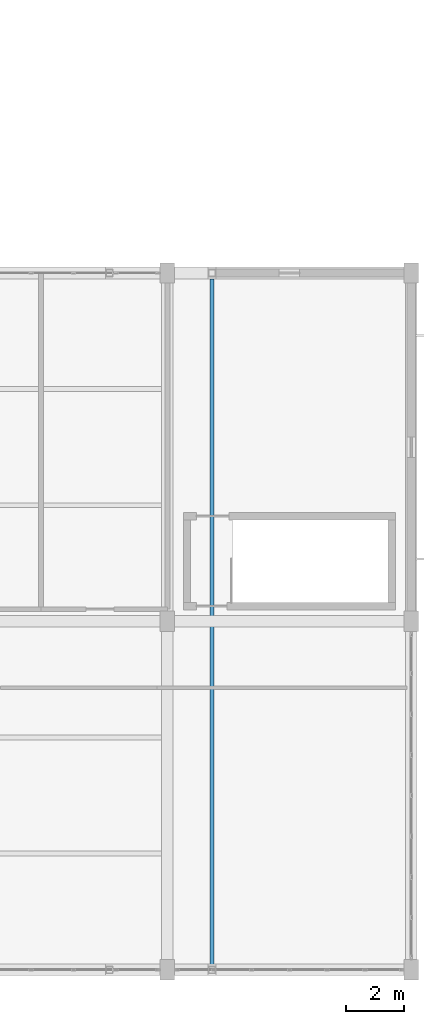
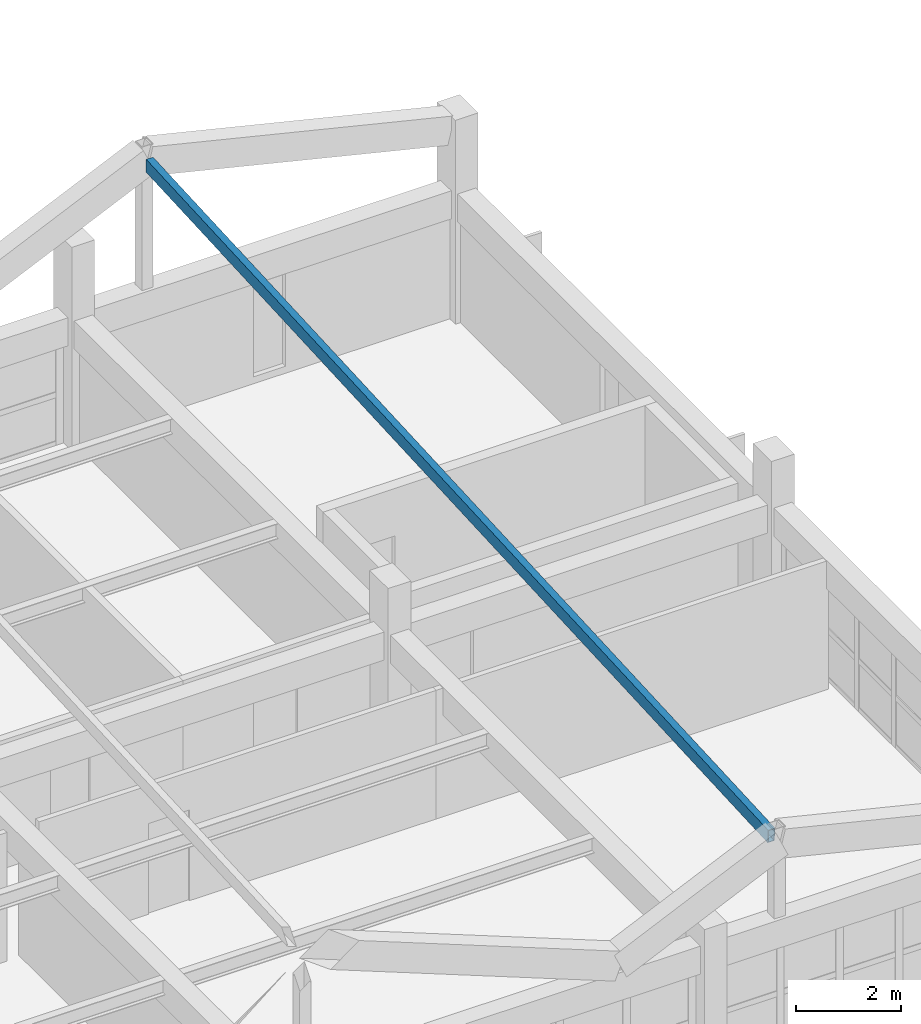
# One storey, part 29 of 127: 1 member.
"""IFC4 building model written with IfcOpenShell, lengths in metres."""

from ifc_helpers import new_model, si_unit, direction, frame, origin, origin_2d, place, context, subcontext, project, spatial, hollow_rectangle, extrude, material, material_profile, profile_set, type_object, element, save


model = new_model("IFC4")

# Units and contexts
model_context = context("Model", 3, precision=1e-05, world=origin(), true_north=direction((0.0, 1.0)))
body_context = subcontext(model_context, "Body", "Model", "MODEL_VIEW")
ifc_project = project(units=[si_unit("LENGTHUNIT", "METRE"), si_unit("AREAUNIT", "SQUARE_METRE"), si_unit("VOLUMEUNIT", "CUBIC_METRE"), si_unit("PLANEANGLEUNIT", "RADIAN"), si_unit("MASSUNIT", "GRAM", prefix="KILO")], contexts=[model_context])

# Site, building, storey
site_placement = place(None, origin())
site = spatial("IfcSite", under=ifc_project, at=site_placement, CompositionType="ELEMENT")
building_placement = place(site_placement, origin())
building = spatial("IfcBuilding", under=site, at=building_placement, Name="Kestramere Prow Commons", CompositionType="ELEMENT")
storey_placement = place(building_placement, frame((0.0, 0.0, 8.39990234375)))
storey = spatial("IfcBuildingStorey", under=building, at=storey_placement, Name="L02", CompositionType="ELEMENT", Elevation=8.39990234375)

# Member
ifc_material = material(Name="Steel S355JR", Category="steel")
ifc_material_profile = material_profile(ifc_material, hollow_rectangle(XDim=0.14990234375, YDim=0.300048828125, WallThickness=0.012451171875, at=origin_2d()), Name="RHS 300x150x12.5")
ifc_profile_set = profile_set([ifc_material_profile], Name="Steel S355JR")
member_type = type_object("IfcMemberType", Name="PUR-MK-01 RHS 300x150x12.5", PredefinedType="PURLIN", material=ifc_profile_set)
member_placement = place(storey_placement, frame((105.135986328125, 0.199951171875, 4.695556640625), z_axis=(0.0, 0.998646785341, 0.052005750909), x_axis=(-1.0, 0.0, 0.0)))
element("IfcMember", 1, at=member_placement, inside=storey, type_object=member_type, Name="Market Folded-Roof Ridge Purlin 5", PredefinedType="PURLIN", context=body_context, shape_type="SweptSolid", body=[
    extrude(hollow_rectangle(XDim=0.14990234375, YDim=0.300048828125, WallThickness=0.012451171875, at=origin_2d()), origin(), (0.0, 0.0, 1.0), 23.632080078125),
])

save(model, "model.ifc")
